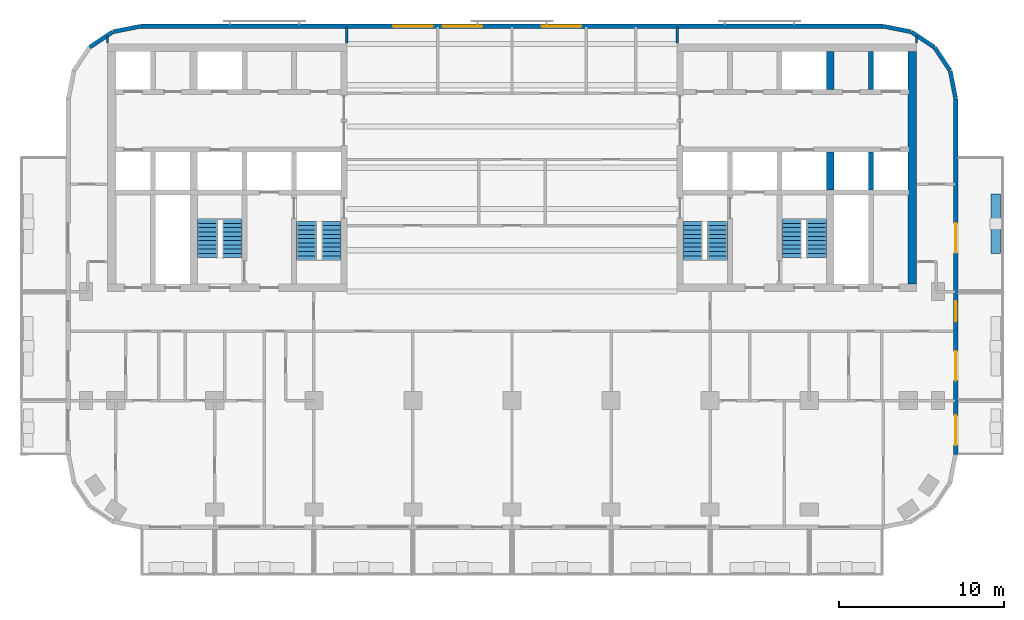
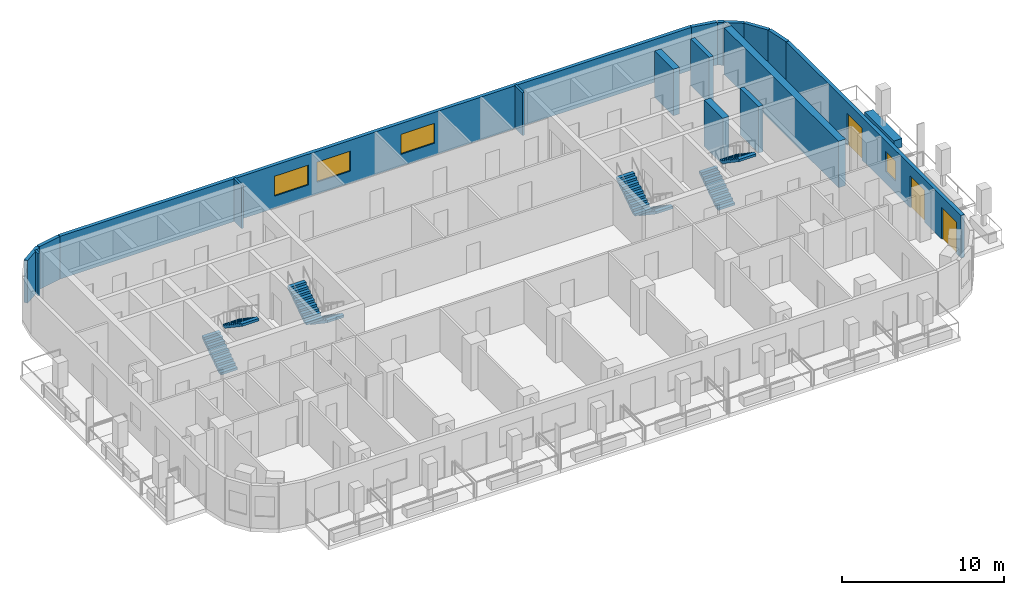
# One storey, part 7 of 11: 18 walls, 8 stair flights, 4 windows, 3 doors, 7 openings, 4 elements without a shape of their own.
"""IFC4 building model written with IfcOpenShell, lengths in metres."""

from ifc_helpers import new_model, si_unit, direction, frame, frame_2d, origin, place, context, subcontext, project, spatial, polyline, rectangle, outline, extrude, material, layer, layer_set, type_object, element, fill, aggregate, save


model = new_model("IFC4")

# Units and contexts
model_context = context("Model", 3, precision=1e-05, world=origin(), true_north=direction((0.0, 1.0)))
body_context = subcontext(model_context, "Body", "Model", "MODEL_VIEW")
ifc_project = project(units=[si_unit("LENGTHUNIT", "METRE"), si_unit("AREAUNIT", "SQUARE_METRE"), si_unit("VOLUMEUNIT", "CUBIC_METRE"), si_unit("PLANEANGLEUNIT", "RADIAN"), si_unit("MASSUNIT", "GRAM", prefix="KILO")], contexts=[model_context])

# Site, building, storey
site_placement = place(None, origin())
site = spatial("IfcSite", under=ifc_project, at=site_placement, CompositionType="ELEMENT")
building_placement = place(site_placement, origin())
building = spatial("IfcBuilding", under=site, at=building_placement, Name="Torana Hotel and Residences", CompositionType="ELEMENT")
storey_placement = place(building_placement, frame((0.0, 0.0, 236.10009765625)))
storey = spatial("IfcBuildingStorey", under=building, at=storey_placement, Name="L62", CompositionType="ELEMENT", Elevation=236.10009765625)

# Walls
ifc_material_1 = material(Name="Concrete C70/85", Category="concrete")
ifc_layer_1 = layer(ifc_material_1, 0.300048828125)
ifc_layer_set_1 = layer_set([ifc_layer_1], Name="CORE WALL 300 C70/85")
wall_type_1 = type_object("IfcWallType", Name="CORE WALL 300 C70/85", PredefinedType="SHEAR", material=ifc_layer_set_1)
for number, where, z_axis, x_axis, name in (
    (1, (21.75, -2.75, 0.0), (0.0, 0.0, 1.0), (0.0, 1.0, 0.0), "Core wall E mm-N"),
    (2, (21.75, -8.85009765625, 0.0), (0.0, 0.0, 1.0), (0.0, 1.0, 0.0), "Core wall E mm-S"),
):
    element("IfcWall", number, at=place(storey_placement, frame(where, z_axis=z_axis, x_axis=x_axis)), inside=storey, type_object=wall_type_1, Name=name, PredefinedType="SHEAR", context=body_context, shape_type="SweptSolid", body=[
        extrude(rectangle(XDim=2.300048828125, YDim=0.300048828125, at=frame_2d((1.14990234375, 0.0))), origin(), (0.0, 0.0, 1.0), 3.5),
    ])
ifc_material_2 = material(Name="Concrete C70/85", Category="concrete")
ifc_layer_2 = layer(ifc_material_2, 0.449951171875)
ifc_layer_set_2 = layer_set([ifc_layer_2], Name="CORE WALL 450 C70/85")
wall_type_2 = type_object("IfcWallType", Name="CORE WALL 450 C70/85", PredefinedType="SHEAR", material=ifc_layer_set_2)
for number, where, z_axis, x_axis, name in (
    (3, (19.27490234375, -2.75, 0.0), (0.0, 0.0, 1.0), (0.0, 1.0, 0.0), "Core wall E hm-N"),
    (4, (19.27490234375, -8.85009765625, 0.0), (0.0, 0.0, 1.0), (0.0, 1.0, 0.0), "Core wall E hm-S"),
):
    element("IfcWall", number, at=place(storey_placement, frame(where, z_axis=z_axis, x_axis=x_axis)), inside=storey, type_object=wall_type_2, Name=name, PredefinedType="SHEAR", context=body_context, shape_type="SweptSolid", body=[
        extrude(rectangle(XDim=2.300048828125, YDim=0.449951171875, at=frame_2d((1.14990234375, 0.0))), origin(), (0.0, 0.0, 1.0), 3.5),
    ])
ifc_material_3 = material(Name="Concrete C70/85", Category="concrete")
ifc_layer_3 = layer(ifc_material_3, 0.5)
ifc_layer_set_3 = layer_set([ifc_layer_3], Name="CORE WALL 500 C70/85")
wall_type_3 = type_object("IfcWallType", Name="CORE WALL 500 C70/85", PredefinedType="SHEAR", material=ifc_layer_set_3)
wall_1_placement = place(storey_placement, frame((24.25, -14.550048828125, 0.0), z_axis=(0.0, 0.0, 1.0), x_axis=(0.0, 1.0, 0.0)))
element("IfcWall", 5, at=wall_1_placement, inside=storey, type_object=wall_type_3, Name="Core wall E outer", PredefinedType="SHEAR", context=body_context, shape_type="SweptSolid", body=[
    extrude(rectangle(XDim=14.10009765625, YDim=0.5, at=frame_2d((7.050048828125, 0.0))), origin(), (0.0, 0.0, 1.0), 3.5),
])
ifc_material_4 = material(Name="Black aluminium composite panel", Category="aluminium")
ifc_layer_4 = layer(ifc_material_4, 0.00390625, Name="Cladding", Category="cladding")
ifc_material_5 = material(Name="Ventilated air cavity")
ifc_layer_5 = layer(ifc_material_5, 0.0400390625, Name="Ventilated cavity", Category="cavity")
ifc_material_6 = material(Name="Mineral wool insulation")
ifc_layer_6 = layer(ifc_material_6, 0.090087890625, Name="Insulation", Category="insulation")
ifc_material_7 = material(Name="Steel S280GD", Category="steel")
ifc_layer_7 = layer(ifc_material_7, 0.092041015625, Name="Steel stud frame", Category="structure")
ifc_material_8 = material(Name="Fire rated plasterboard")
ifc_layer_8 = layer(ifc_material_8, 0.011962890625, Name="Inner board", Category="finish")
ifc_layer_9 = layer(ifc_material_8, 0.011962890625, Name="Second board", Category="finish")
ifc_layer_set_4 = layer_set([ifc_layer_4, ifc_layer_5, ifc_layer_6, ifc_layer_7, ifc_layer_8, ifc_layer_9], Name="EW1 EXTERNAL WALL BLACK METAL CLAD 250")
wall_type_4 = type_object("IfcWallType", Name="EW1 EXTERNAL WALL BLACK METAL CLAD 250", PredefinedType="SOLIDWALL", material=ifc_layer_set_4)
wall_2_placement = place(storey_placement, frame((26.87255859375, -3.30029296875, 0.0), z_axis=(0.0, 0.0, 1.0), x_axis=(-0.194999110559, 0.980803419081, 0.0)))
element("IfcWall", 6, at=wall_2_placement, inside=storey, type_object=wall_type_4, Name="External wall L62 e0.0", PredefinedType="SOLIDWALL", context=body_context, shape_type="SweptSolid", body=[
    extrude(rectangle(XDim=1.681396484375, YDim=0.25, at=frame_2d((0.8408203125, 0.0))), origin(), (0.0, 0.0, 1.0), 3.219970703125),
])
for number, where, z_axis, x_axis, name in (
    (7, (26.52587890625, -1.60595703125, 0.0), (0.0, 0.0, 1.0), (-0.55555029066, 0.831482937015, 0.0), "External wall L62 e0.1"),
    (8, (25.5712890625, -0.1943359375, 0.0), (0.0, 0.0, 1.0), (-0.831482937015, 0.55555029066, 0.0), "External wall L62 e0.2"),
):
    element("IfcWall", number, at=place(storey_placement, frame(where, z_axis=z_axis, x_axis=x_axis)), inside=storey, type_object=wall_type_4, Name=name, PredefinedType="SOLIDWALL", context=body_context, shape_type="SweptSolid", body=[
        extrude(rectangle(XDim=1.65625, YDim=0.25, at=frame_2d((0.828125, 0.0))), origin(), (0.0, 0.0, 1.0), 3.219970703125),
    ])
for number, where, z_axis, x_axis, name in (
    (9, (24.14892578125, 0.74462890625, 0.0), (0.0, 0.0, 1.0), (-0.980803419081, 0.194999110559, 0.0), "External wall L62 e0.3"),
    (10, (-22.499755859375, 1.072509765625, 0.0), (0.0, 0.0, 1.0), (-0.980803419081, -0.194999110559, 0.0), "External wall L62 e0.5"),
):
    element("IfcWall", number, at=place(storey_placement, frame(where, z_axis=z_axis, x_axis=x_axis)), inside=storey, type_object=wall_type_4, Name=name, PredefinedType="SOLIDWALL", context=body_context, shape_type="SweptSolid", body=[
        extrude(rectangle(XDim=1.681396484375, YDim=0.25, at=frame_2d((0.8408203125, 0.0))), origin(), (0.0, 0.0, 1.0), 3.219970703125),
    ])
wall_3_placement = place(storey_placement, frame((-24.194091796875, 0.725830078125, 0.0), z_axis=(0.0, 0.0, 1.0), x_axis=(-0.831482937015, -0.55555029066, 0.0)))
element("IfcWall", 11, at=wall_3_placement, inside=storey, type_object=wall_type_4, Name="External wall L62 e0.6", PredefinedType="SOLIDWALL", context=body_context, shape_type="SweptSolid", body=[
    extrude(rectangle(XDim=1.65625, YDim=0.25, at=frame_2d((0.828125, 0.0))), origin(), (0.0, 0.0, 1.0), 3.219970703125),
])

# Wall, openings, doors, window
wall_4_placement = place(storey_placement, frame((26.875, -24.87548828125, 0.0), z_axis=(0.0, 0.0, 1.0), x_axis=(0.0, 1.0, 0.0)))
wall_4 = element("IfcWall", 12, at=wall_4_placement, inside=storey, type_object=wall_type_4, Name="External wall L62 e0.19", PredefinedType="SOLIDWALL", context=body_context, shape_type="SweptSolid", body=[
    extrude(rectangle(XDim=21.55078125, YDim=0.25, at=frame_2d((10.775390625, 0.0))), origin(), (0.0, 0.0, 1.0), 3.219970703125),
])
opening_1_placement = place(wall_4_placement, frame((0.575439453125, 0.0, 0.0)))
opening_1 = element("IfcOpeningElement", 13, at=opening_1_placement, cuts=wall_4, Name="Opening L62-E09", PredefinedType="OPENING", context=body_context, shape_type="SweptSolid", body=[
    extrude(rectangle(XDim=1.800048828125, YDim=2.39990234375, at=frame_2d((0.89990234375, 1.199951171875))), frame((0.0, 0.135009765625, 0.0), z_axis=(0.0, -1.0, 0.0), x_axis=(1.0, 0.0, 0.0)), (0.0, 0.0, 1.0), 0.27001953125),
])
opening_2_placement = place(wall_4_placement, frame((4.475341796875, 0.0, 0.0)))
opening_2 = element("IfcOpeningElement", 14, at=opening_2_placement, cuts=wall_4, Name="Opening L62-E10", PredefinedType="OPENING", context=body_context, shape_type="SweptSolid", body=[
    extrude(rectangle(XDim=1.800048828125, YDim=2.39990234375, at=frame_2d((0.89990234375, 1.199951171875))), frame((0.0, 0.135009765625, 0.0), z_axis=(0.0, -1.0, 0.0), x_axis=(1.0, 0.0, 0.0)), (0.0, 0.0, 1.0), 0.27001953125),
])
opening_3_placement = place(wall_4_placement, frame((8.075439453125, 0.0, 0.89990234375)))
opening_3 = element("IfcOpeningElement", 15, at=opening_3_placement, cuts=wall_4, Name="Opening W5", PredefinedType="OPENING", context=body_context, shape_type="SweptSolid", body=[
    extrude(rectangle(XDim=1.199951171875, YDim=1.5, at=frame_2d((0.60009765625, 0.75))), frame((0.0, 0.135009765625, 0.0), z_axis=(0.0, -1.0, 0.0), x_axis=(1.0, 0.0, 0.0)), (0.0, 0.0, 1.0), 0.27001953125),
])
opening_4_placement = place(wall_4_placement, frame((12.225341796875, 0.0, 0.0)))
opening_4 = element("IfcOpeningElement", 16, at=opening_4_placement, cuts=wall_4, Name="Opening L62-E11", PredefinedType="OPENING", context=body_context, shape_type="SweptSolid", body=[
    extrude(rectangle(XDim=1.800048828125, YDim=2.39990234375, at=frame_2d((0.89990234375, 1.199951171875))), frame((0.0, 0.135009765625, 0.0), z_axis=(0.0, -1.0, 0.0), x_axis=(1.0, 0.0, 0.0)), (0.0, 0.0, 1.0), 0.27001953125),
])
ifc_material_9 = material(Name="Dark glass in black aluminium frame", Category="aluminium")
door_type = type_object("IfcDoorType", Name="DB1 BALCONY DOOR 1800x2400", OperationType="DOUBLE_DOOR_SINGLE_SWING", PredefinedType="DOOR", material=ifc_material_9)
door_1_placement = place(opening_1_placement, origin())
door_1 = element("IfcDoor", 17, at=door_1_placement, inside=storey, type_object=door_type, Name="Balcony door L62", OperationType="DOUBLE_DOOR_SINGLE_SWING", OverallHeight=2.39990234375, OverallWidth=1.800048828125, PredefinedType="DOOR", context=body_context, shape_type="SweptSolid", body=[
    extrude(rectangle(XDim=1.800048828125, YDim=2.39990234375, at=frame_2d((0.89990234375, 1.199951171875))), frame((0.0, 0.02490234375, 0.0), z_axis=(0.0, -1.0, 0.0), x_axis=(1.0, 0.0, 0.0)), (0.0, 0.0, 1.0), 0.050048828125),
])
fill(opening_1, door_1)
door_2_placement = place(opening_2_placement, origin())
door_2 = element("IfcDoor", 18, at=door_2_placement, inside=storey, type_object=door_type, Name="Balcony door L62", OperationType="DOUBLE_DOOR_SINGLE_SWING", OverallHeight=2.39990234375, OverallWidth=1.800048828125, PredefinedType="DOOR", context=body_context, shape_type="SweptSolid", body=[
    extrude(rectangle(XDim=1.800048828125, YDim=2.39990234375, at=frame_2d((0.89990234375, 1.199951171875))), frame((0.0, 0.02490234375, 0.0), z_axis=(0.0, -1.0, 0.0), x_axis=(1.0, 0.0, 0.0)), (0.0, 0.0, 1.0), 0.050048828125),
])
fill(opening_2, door_2)
door_3_placement = place(opening_4_placement, origin())
door_3 = element("IfcDoor", 19, at=door_3_placement, inside=storey, type_object=door_type, Name="Balcony door L62", OperationType="DOUBLE_DOOR_SINGLE_SWING", OverallHeight=2.39990234375, OverallWidth=1.800048828125, PredefinedType="DOOR", context=body_context, shape_type="SweptSolid", body=[
    extrude(rectangle(XDim=1.800048828125, YDim=2.39990234375, at=frame_2d((0.89990234375, 1.199951171875))), frame((0.0, 0.02490234375, 0.0), z_axis=(0.0, -1.0, 0.0), x_axis=(1.0, 0.0, 0.0)), (0.0, 0.0, 1.0), 0.050048828125),
])
fill(opening_4, door_3)
ifc_material_10 = material(Name="Dark glass in black aluminium frame", Category="aluminium")
window_type_1 = type_object("IfcWindowType", Name="W5 CORNER FACET WINDOW 1200x1500", PartitioningType="SINGLE_PANEL", PredefinedType="WINDOW", material=ifc_material_10)
window_1_placement = place(opening_3_placement, origin())
window_1 = element("IfcWindow", 20, at=window_1_placement, inside=storey, type_object=window_type_1, Name="Window L62", OverallHeight=1.5, OverallWidth=1.199951171875, PartitioningType="SINGLE_PANEL", PredefinedType="WINDOW", context=body_context, shape_type="SweptSolid", body=[
    extrude(rectangle(XDim=1.199951171875, YDim=1.5, at=frame_2d((0.60009765625, 0.75))), frame((0.0, 0.030029296875, 0.0), z_axis=(0.0, -1.0, 0.0), x_axis=(1.0, 0.0, 0.0)), (0.0, 0.0, 1.0), 0.06005859375),
])
fill(opening_3, window_1)

# Wall, openings, windows
ifc_material_11 = material(Name="Concrete C40/50 precast", Category="concrete")
ifc_layer_10 = layer(ifc_material_11, 0.10009765625, Name="Perforated block", Category="cladding")
ifc_material_12 = material(Name="Air cavity")
ifc_layer_11 = layer(ifc_material_12, 0.030029296875, Name="Cavity", Category="cavity")
ifc_material_13 = material(Name="Concrete C40/50", Category="concrete")
ifc_layer_12 = layer(ifc_material_13, 0.10009765625, Name="Wall", Category="structure")
ifc_material_14 = material(Name="Plaster and paint")
ifc_layer_13 = layer(ifc_material_14, 0.02001953125, Name="Inner finish", Category="finish")
ifc_layer_set_5 = layer_set([ifc_layer_10, ifc_layer_11, ifc_layer_12, ifc_layer_13], Name="EW2 PERFORATED BLOCK SCREEN WALL 250")
wall_type_5 = type_object("IfcWallType", Name="EW2 PERFORATED BLOCK SCREEN WALL 250", PredefinedType="SOLIDWALL", material=ifc_layer_set_5)
wall_5_placement = place(storey_placement, frame((22.475341796875, 1.074951171875, 0.0), z_axis=(0.0, 0.0, 1.0), x_axis=(-1.0, 0.0, 0.0)))
wall_5 = element("IfcWall", 21, at=wall_5_placement, inside=storey, type_object=wall_type_5, Name="External wall L62 e0.4", PredefinedType="SOLIDWALL", context=body_context, shape_type="SweptSolid", body=[
    extrude(rectangle(XDim=44.95068359375, YDim=0.25, at=frame_2d((22.475341796875, 0.0))), origin(), (0.0, 0.0, 1.0), 3.219970703125),
])
opening_5_placement = place(wall_5_placement, frame((18.275390625, 0.0, 0.89990234375)))
opening_5 = element("IfcOpeningElement", 22, at=opening_5_placement, cuts=wall_5, Name="Opening W3", PredefinedType="OPENING", context=body_context, shape_type="SweptSolid", body=[
    extrude(rectangle(XDim=2.39990234375, YDim=1.5, at=frame_2d((1.199951171875, 0.75))), frame((0.0, 0.135009765625, 0.0), z_axis=(0.0, -1.0, 0.0), x_axis=(1.0, 0.0, 0.0)), (0.0, 0.0, 1.0), 0.27001953125),
])
opening_6_placement = place(wall_5_placement, frame((24.275390625, 0.0, 0.89990234375)))
opening_6 = element("IfcOpeningElement", 23, at=opening_6_placement, cuts=wall_5, Name="Opening W3", PredefinedType="OPENING", context=body_context, shape_type="SweptSolid", body=[
    extrude(rectangle(XDim=2.39990234375, YDim=1.5, at=frame_2d((1.199951171875, 0.75))), frame((0.0, 0.135009765625, 0.0), z_axis=(0.0, -1.0, 0.0), x_axis=(1.0, 0.0, 0.0)), (0.0, 0.0, 1.0), 0.27001953125),
])
opening_7_placement = place(wall_5_placement, frame((27.275390625, 0.0, 0.89990234375)))
opening_7 = element("IfcOpeningElement", 24, at=opening_7_placement, cuts=wall_5, Name="Opening W3", PredefinedType="OPENING", context=body_context, shape_type="SweptSolid", body=[
    extrude(rectangle(XDim=2.39990234375, YDim=1.5, at=frame_2d((1.199951171875, 0.75))), frame((0.0, 0.135009765625, 0.0), z_axis=(0.0, -1.0, 0.0), x_axis=(1.0, 0.0, 0.0)), (0.0, 0.0, 1.0), 0.27001953125),
])
ifc_material_15 = material(Name="Dark glass in black aluminium frame", Category="aluminium")
window_type_2 = type_object("IfcWindowType", Name="W3 RESIDENCE WINDOW 2400x1500", PartitioningType="SINGLE_PANEL", PredefinedType="WINDOW", material=ifc_material_15)
window_2_placement = place(opening_5_placement, origin())
window_2 = element("IfcWindow", 25, at=window_2_placement, inside=storey, type_object=window_type_2, Name="Window L62", OverallHeight=1.5, OverallWidth=2.39990234375, PartitioningType="SINGLE_PANEL", PredefinedType="WINDOW", context=body_context, shape_type="SweptSolid", body=[
    extrude(rectangle(XDim=2.39990234375, YDim=1.5, at=frame_2d((1.199951171875, 0.75))), frame((0.0, 0.030029296875, 0.0), z_axis=(0.0, -1.0, 0.0), x_axis=(1.0, 0.0, 0.0)), (0.0, 0.0, 1.0), 0.06005859375),
])
fill(opening_5, window_2)
window_3_placement = place(opening_6_placement, origin())
window_3 = element("IfcWindow", 26, at=window_3_placement, inside=storey, type_object=window_type_2, Name="Window L62", OverallHeight=1.5, OverallWidth=2.39990234375, PartitioningType="SINGLE_PANEL", PredefinedType="WINDOW", context=body_context, shape_type="SweptSolid", body=[
    extrude(rectangle(XDim=2.39990234375, YDim=1.5, at=frame_2d((1.199951171875, 0.75))), frame((0.0, 0.030029296875, 0.0), z_axis=(0.0, -1.0, 0.0), x_axis=(1.0, 0.0, 0.0)), (0.0, 0.0, 1.0), 0.06005859375),
])
fill(opening_6, window_3)
window_4_placement = place(opening_7_placement, origin())
window_4 = element("IfcWindow", 27, at=window_4_placement, inside=storey, type_object=window_type_2, Name="Window L62", OverallHeight=1.5, OverallWidth=2.39990234375, PartitioningType="SINGLE_PANEL", PredefinedType="WINDOW", context=body_context, shape_type="SweptSolid", body=[
    extrude(rectangle(XDim=2.39990234375, YDim=1.5, at=frame_2d((1.199951171875, 0.75))), frame((0.0, 0.030029296875, 0.0), z_axis=(0.0, -1.0, 0.0), x_axis=(1.0, 0.0, 0.0)), (0.0, 0.0, 1.0), 0.06005859375),
])
fill(opening_7, window_4)

# Walls
ifc_material_16 = material(Name="Gypsum plasterboard")
ifc_layer_14 = layer(ifc_material_16, 0.012451171875, Name="Plasterboard", Category="finish")
ifc_layer_15 = layer(ifc_material_16, 0.012451171875, Name="Plasterboard", Category="finish")
ifc_layer_16 = layer(ifc_material_7, 0.10009765625, Name="Steel studs with mineral wool", Category="insulation")
ifc_layer_17 = layer(ifc_material_16, 0.012451171875, Name="Plasterboard", Category="finish")
ifc_layer_18 = layer(ifc_material_16, 0.012451171875, Name="Plasterboard", Category="finish")
ifc_layer_set_6 = layer_set([ifc_layer_14, ifc_layer_15, ifc_layer_16, ifc_layer_17, ifc_layer_18], Name="PARTITION 150 PLASTERBOARD")
wall_type_6 = type_object("IfcWallType", Name="PARTITION 150 PLASTERBOARD", PredefinedType="PARTITIONING", material=ifc_layer_set_6)
wall_6_placement = place(storey_placement, frame((24.5, 0.050048828125, 0.0), z_axis=(0.0, 0.0, 1.0), x_axis=(0.0, 1.0, 0.0)))
element("IfcWall", 28, at=wall_6_placement, inside=storey, type_object=wall_type_6, Name="Partition L62", PredefinedType="PARTITIONING", context=body_context, shape_type="SweptSolid", body=[
    extrude(rectangle(XDim=0.4052734375, YDim=0.14990234375, at=frame_2d((0.20263671875, 0.0))), origin(), (0.0, 0.0, 1.0), 3.219970703125),
])
wall_7_placement = place(storey_placement, frame((-10.0, 0.050048828125, 0.0), z_axis=(0.0, 0.0, 1.0), x_axis=(0.0, 1.0, 0.0)))
element("IfcWall", 29, at=wall_7_placement, inside=storey, type_object=wall_type_6, Name="Partition L62", PredefinedType="PARTITIONING", context=body_context, shape_type="SweptSolid", body=[
    extrude(rectangle(XDim=0.969970703125, YDim=0.14990234375, at=frame_2d((0.48486328125, 0.0))), origin(), (0.0, 0.0, 1.0), 3.219970703125),
])
wall_8_placement = place(storey_placement, frame((-24.5, 0.050048828125, 0.0), z_axis=(0.0, 0.0, 1.0), x_axis=(0.0, 1.0, 0.0)))
element("IfcWall", 30, at=wall_8_placement, inside=storey, type_object=wall_type_6, Name="Partition L62", PredefinedType="PARTITIONING", context=body_context, shape_type="SweptSolid", body=[
    extrude(rectangle(XDim=0.4052734375, YDim=0.14990234375, at=frame_2d((0.20263671875, 0.0))), origin(), (0.0, 0.0, 1.0), 3.219970703125),
])
ifc_layer_19 = layer(ifc_material_11, 0.10009765625, Name="Planter shell", Category="structure")
ifc_material_17 = material(Name="Root resistant membrane")
ifc_layer_20 = layer(ifc_material_17, 0.00390625, Name="Waterproofing membrane", Category="membrane")
ifc_material_18 = material(Name="Drainage board with filter fleece")
ifc_layer_21 = layer(ifc_material_18, 0.02001953125, Name="Drainage board", Category="drainage")
ifc_material_19 = material(Name="Growing medium")
ifc_layer_22 = layer(ifc_material_19, 0.47607421875, Name="Planting substrate", Category="soil")
ifc_layer_set_7 = layer_set([ifc_layer_19, ifc_layer_20, ifc_layer_21, ifc_layer_22], Name="PL1 BALCONY PLANTER 600")
wall_type_7 = type_object("IfcWallType", Name="PL1 BALCONY PLANTER 600", PredefinedType="USERDEFINED", material=ifc_layer_set_7)
wall_9_placement = place(storey_placement, frame((29.300048828125, -9.10009765625, 0.0), z_axis=(0.0, 0.0, 1.0), x_axis=(0.0, -1.0, 0.0)))
element("IfcWall", 31, at=wall_9_placement, inside=storey, type_object=wall_type_7, Name="Planter 14", ObjectType="PLANTER", PredefinedType="USERDEFINED", context=body_context, shape_type="SweptSolid", body=[
    extrude(rectangle(XDim=3.599853515625, YDim=0.60009765625, at=frame_2d((1.7998046875, 0.0))), origin(), (0.0, 0.0, 1.0), 0.64990234375),
])
ifc_material_20 = material(Name="Ceramic tile on adhesive")
ifc_layer_23 = layer(ifc_material_20, 0.010009765625, Name="Wall tile", Category="finish")
ifc_material_21 = material(Name="Cement render")
ifc_layer_24 = layer(ifc_material_21, 0.010009765625, Name="Render", Category="finish")
ifc_material_22 = material(Name="Concrete blockwork", Category="masonry")
ifc_layer_25 = layer(ifc_material_22, 0.110107421875, Name="Blockwork", Category="structure")
ifc_layer_26 = layer(ifc_material_21, 0.010009765625, Name="Render", Category="finish")
ifc_layer_27 = layer(ifc_material_20, 0.010009765625, Name="Wall tile", Category="finish")
ifc_layer_set_8 = layer_set([ifc_layer_23, ifc_layer_24, ifc_layer_25, ifc_layer_26, ifc_layer_27], Name="WC PARTITION 150")
wall_type_8 = type_object("IfcWallType", Name="WC PARTITION 150", PredefinedType="PLUMBINGWALL", material=ifc_layer_set_8)
wall_10_placement = place(storey_placement, frame((10.0, 0.050048828125, 0.0), z_axis=(0.0, 0.0, 1.0), x_axis=(0.0, 1.0, 0.0)))
element("IfcWall", 32, at=wall_10_placement, inside=storey, type_object=wall_type_8, Name="Partition L62", PredefinedType="PLUMBINGWALL", context=body_context, shape_type="SweptSolid", body=[
    extrude(rectangle(XDim=0.969970703125, YDim=0.14990234375, at=frame_2d((0.48486328125, 0.0))), origin(), (0.0, 0.0, 1.0), 3.219970703125),
])

# Stair, stair flights
ifc_material_23 = material(Name="Concrete C40/50 precast", Category="concrete")
stair_type_1 = type_object("IfcStairType", Name="STAIR ST1 HALF TURN 1200", PredefinedType="HALF_TURN_STAIR", material=ifc_material_23)
stair_1_placement = place(storey_placement, origin())
stair_1 = element("IfcStair", 33, at=stair_1_placement, inside=storey, type_object=stair_type_1, Name="Stair ST1 L62", PredefinedType="HALF_TURN_STAIR")
ifc_material_24 = material(Name="Concrete C40/50 precast", Category="concrete")
stair_flight_type = type_object("IfcStairFlightType", Name="STAIR FLIGHT 1200 PRECAST", PredefinedType="STRAIGHT", material=ifc_material_24)
stair_flight_1_placement = place(storey_placement, frame((-10.949951171875, -10.75, 0.0), z_axis=(0.0, 0.0, 1.0), x_axis=(0.0, -1.0, 0.0)))
stair_flight_1 = element("IfcStairFlight", 34, at=stair_flight_1_placement, type_object=stair_flight_type, Name="ST1 flight 1", NumberOfRisers=10, NumberOfTreads=9, PredefinedType="STRAIGHT", RiserHeight=0.175, TreadLength=0.26, context=body_context, shape_type="SweptSolid", body=[
    extrude(outline(polyline([(0.0, 0.0), (0.0, 0.175048828125), (0.260009765625, 0.175048828125), (0.260009765625, 0.35009765625), (0.52001953125, 0.35009765625), (0.52001953125, 0.52490234375), (0.780029296875, 0.52490234375), (0.780029296875, 0.699951171875), (1.0400390625, 0.699951171875), (1.0400390625, 0.875), (1.300048828125, 0.875), (1.300048828125, 1.050048828125), (1.56005859375, 1.050048828125), (1.56005859375, 1.22509765625), (1.820068359375, 1.22509765625), (1.820068359375, 1.39990234375), (2.080078125, 1.39990234375), (2.080078125, 1.574951171875), (2.340087890625, 1.574951171875), (2.340087890625, 1.75), (2.340087890625, 1.394287109375), (0.2685546875, 0.0), (0.0, 0.0)])), frame((0.0, 0.60009765625, 0.0), z_axis=(0.0, -1.0, 0.0), x_axis=(1.0, 0.0, 0.0)), (0.0, 0.0, 1.0), 1.199951171875),
])
stair_flight_2_placement = place(storey_placement, frame((-12.449951171875, -13.090087890625, 1.75), z_axis=(0.0, 0.0, 1.0), x_axis=(0.0, 1.0, 0.0)))
stair_flight_2 = element("IfcStairFlight", 35, at=stair_flight_2_placement, type_object=stair_flight_type, Name="ST1 flight 2", NumberOfRisers=10, NumberOfTreads=9, PredefinedType="STRAIGHT", RiserHeight=0.175, TreadLength=0.26, context=body_context, shape_type="SweptSolid", body=[
    extrude(outline(polyline([(0.0, 0.0), (0.0, 0.175048828125), (0.260009765625, 0.175048828125), (0.260009765625, 0.35009765625), (0.52001953125, 0.35009765625), (0.52001953125, 0.52490234375), (0.780029296875, 0.52490234375), (0.780029296875, 0.699951171875), (1.0400390625, 0.699951171875), (1.0400390625, 0.875), (1.300048828125, 0.875), (1.300048828125, 1.050048828125), (1.56005859375, 1.050048828125), (1.56005859375, 1.22509765625), (1.820068359375, 1.22509765625), (1.820068359375, 1.39990234375), (2.080078125, 1.39990234375), (2.080078125, 1.574951171875), (2.340087890625, 1.574951171875), (2.340087890625, 1.75), (2.340087890625, 1.394287109375), (0.2685546875, 0.0), (0.0, 0.0)])), frame((0.0, 0.60009765625, 0.0), z_axis=(0.0, -1.0, 0.0), x_axis=(1.0, 0.0, 0.0)), (0.0, 0.0, 1.0), 1.199951171875),
])
aggregate(stair_1, [stair_flight_1, stair_flight_2])

ifc_material_25 = material(Name="Concrete C40/50 precast", Category="concrete")
stair_type_2 = type_object("IfcStairType", Name="STAIR ST2 HALF TURN 1200", PredefinedType="HALF_TURN_STAIR", material=ifc_material_25)
stair_2_placement = place(storey_placement, origin())
stair_2 = element("IfcStair", 36, at=stair_2_placement, inside=storey, type_object=stair_type_2, Name="Stair ST2 L62", PredefinedType="HALF_TURN_STAIR")
stair_flight_3_placement = place(storey_placement, frame((-18.449951171875, -12.949951171875, 0.0), z_axis=(0.0, 0.0, 1.0), x_axis=(0.0, 1.0, 0.0)))
stair_flight_3 = element("IfcStairFlight", 37, at=stair_flight_3_placement, type_object=stair_flight_type, Name="ST2 flight 1", NumberOfRisers=10, NumberOfTreads=9, PredefinedType="STRAIGHT", RiserHeight=0.175, TreadLength=0.26, context=body_context, shape_type="SweptSolid", body=[
    extrude(outline(polyline([(0.0, 0.0), (0.0, 0.175048828125), (0.260009765625, 0.175048828125), (0.260009765625, 0.35009765625), (0.52001953125, 0.35009765625), (0.52001953125, 0.52490234375), (0.780029296875, 0.52490234375), (0.780029296875, 0.699951171875), (1.0400390625, 0.699951171875), (1.0400390625, 0.875), (1.300048828125, 0.875), (1.300048828125, 1.050048828125), (1.56005859375, 1.050048828125), (1.56005859375, 1.22509765625), (1.820068359375, 1.22509765625), (1.820068359375, 1.39990234375), (2.080078125, 1.39990234375), (2.080078125, 1.574951171875), (2.340087890625, 1.574951171875), (2.340087890625, 1.75), (2.340087890625, 1.394287109375), (0.2685546875, 0.0), (0.0, 0.0)])), frame((0.0, 0.60009765625, 0.0), z_axis=(0.0, -1.0, 0.0), x_axis=(1.0, 0.0, 0.0)), (0.0, 0.0, 1.0), 1.199951171875),
])
stair_flight_4_placement = place(storey_placement, frame((-16.949951171875, -10.610107421875, 1.75), z_axis=(0.0, 0.0, 1.0), x_axis=(0.0, -1.0, 0.0)))
stair_flight_4 = element("IfcStairFlight", 38, at=stair_flight_4_placement, type_object=stair_flight_type, Name="ST2 flight 2", NumberOfRisers=10, NumberOfTreads=9, PredefinedType="STRAIGHT", RiserHeight=0.175, TreadLength=0.26, context=body_context, shape_type="SweptSolid", body=[
    extrude(outline(polyline([(0.0, 0.0), (0.0, 0.175048828125), (0.260009765625, 0.175048828125), (0.260009765625, 0.35009765625), (0.52001953125, 0.35009765625), (0.52001953125, 0.52490234375), (0.780029296875, 0.52490234375), (0.780029296875, 0.699951171875), (1.0400390625, 0.699951171875), (1.0400390625, 0.875), (1.300048828125, 0.875), (1.300048828125, 1.050048828125), (1.56005859375, 1.050048828125), (1.56005859375, 1.22509765625), (1.820068359375, 1.22509765625), (1.820068359375, 1.39990234375), (2.080078125, 1.39990234375), (2.080078125, 1.574951171875), (2.340087890625, 1.574951171875), (2.340087890625, 1.75), (2.340087890625, 1.394287109375), (0.2685546875, 0.0), (0.0, 0.0)])), frame((0.0, 0.60009765625, 0.0), z_axis=(0.0, -1.0, 0.0), x_axis=(1.0, 0.0, 0.0)), (0.0, 0.0, 1.0), 1.199951171875),
])
aggregate(stair_2, [stair_flight_3, stair_flight_4])

ifc_material_26 = material(Name="Concrete C40/50 precast", Category="concrete")
stair_type_3 = type_object("IfcStairType", Name="STAIR ST3 HALF TURN 1200", PredefinedType="HALF_TURN_STAIR", material=ifc_material_26)
stair_3_placement = place(storey_placement, origin())
stair_3 = element("IfcStair", 39, at=stair_3_placement, inside=storey, type_object=stair_type_3, Name="Stair ST3 L62", PredefinedType="HALF_TURN_STAIR")
stair_flight_5_placement = place(storey_placement, frame((12.449951171875, -10.75, 0.0), z_axis=(0.0, 0.0, 1.0), x_axis=(0.0, -1.0, 0.0)))
stair_flight_5 = element("IfcStairFlight", 40, at=stair_flight_5_placement, type_object=stair_flight_type, Name="ST3 flight 1", NumberOfRisers=10, NumberOfTreads=9, PredefinedType="STRAIGHT", RiserHeight=0.175, TreadLength=0.26, context=body_context, shape_type="SweptSolid", body=[
    extrude(outline(polyline([(0.0, 0.0), (0.0, 0.175048828125), (0.260009765625, 0.175048828125), (0.260009765625, 0.35009765625), (0.52001953125, 0.35009765625), (0.52001953125, 0.52490234375), (0.780029296875, 0.52490234375), (0.780029296875, 0.699951171875), (1.0400390625, 0.699951171875), (1.0400390625, 0.875), (1.300048828125, 0.875), (1.300048828125, 1.050048828125), (1.56005859375, 1.050048828125), (1.56005859375, 1.22509765625), (1.820068359375, 1.22509765625), (1.820068359375, 1.39990234375), (2.080078125, 1.39990234375), (2.080078125, 1.574951171875), (2.340087890625, 1.574951171875), (2.340087890625, 1.75), (2.340087890625, 1.394287109375), (0.2685546875, 0.0), (0.0, 0.0)])), frame((0.0, 0.60009765625, 0.0), z_axis=(0.0, -1.0, 0.0), x_axis=(1.0, 0.0, 0.0)), (0.0, 0.0, 1.0), 1.199951171875),
])
stair_flight_6_placement = place(storey_placement, frame((10.949951171875, -13.090087890625, 1.75), z_axis=(0.0, 0.0, 1.0), x_axis=(0.0, 1.0, 0.0)))
stair_flight_6 = element("IfcStairFlight", 41, at=stair_flight_6_placement, type_object=stair_flight_type, Name="ST3 flight 2", NumberOfRisers=10, NumberOfTreads=9, PredefinedType="STRAIGHT", RiserHeight=0.175, TreadLength=0.26, context=body_context, shape_type="SweptSolid", body=[
    extrude(outline(polyline([(0.0, 0.0), (0.0, 0.175048828125), (0.260009765625, 0.175048828125), (0.260009765625, 0.35009765625), (0.52001953125, 0.35009765625), (0.52001953125, 0.52490234375), (0.780029296875, 0.52490234375), (0.780029296875, 0.699951171875), (1.0400390625, 0.699951171875), (1.0400390625, 0.875), (1.300048828125, 0.875), (1.300048828125, 1.050048828125), (1.56005859375, 1.050048828125), (1.56005859375, 1.22509765625), (1.820068359375, 1.22509765625), (1.820068359375, 1.39990234375), (2.080078125, 1.39990234375), (2.080078125, 1.574951171875), (2.340087890625, 1.574951171875), (2.340087890625, 1.75), (2.340087890625, 1.394287109375), (0.2685546875, 0.0), (0.0, 0.0)])), frame((0.0, 0.60009765625, 0.0), z_axis=(0.0, -1.0, 0.0), x_axis=(1.0, 0.0, 0.0)), (0.0, 0.0, 1.0), 1.199951171875),
])
aggregate(stair_3, [stair_flight_5, stair_flight_6])

ifc_material_27 = material(Name="Concrete C40/50 precast", Category="concrete")
stair_type_4 = type_object("IfcStairType", Name="STAIR ST4 HALF TURN 1200", PredefinedType="HALF_TURN_STAIR", material=ifc_material_27)
stair_4_placement = place(storey_placement, origin())
stair_4 = element("IfcStair", 42, at=stair_4_placement, inside=storey, type_object=stair_type_4, Name="Stair ST4 L62", PredefinedType="HALF_TURN_STAIR")
stair_flight_7_placement = place(storey_placement, frame((16.949951171875, -12.949951171875, 0.0), z_axis=(0.0, 0.0, 1.0), x_axis=(0.0, 1.0, 0.0)))
stair_flight_7 = element("IfcStairFlight", 43, at=stair_flight_7_placement, type_object=stair_flight_type, Name="ST4 flight 1", NumberOfRisers=10, NumberOfTreads=9, PredefinedType="STRAIGHT", RiserHeight=0.175, TreadLength=0.26, context=body_context, shape_type="SweptSolid", body=[
    extrude(outline(polyline([(0.0, 0.0), (0.0, 0.175048828125), (0.260009765625, 0.175048828125), (0.260009765625, 0.35009765625), (0.52001953125, 0.35009765625), (0.52001953125, 0.52490234375), (0.780029296875, 0.52490234375), (0.780029296875, 0.699951171875), (1.0400390625, 0.699951171875), (1.0400390625, 0.875), (1.300048828125, 0.875), (1.300048828125, 1.050048828125), (1.56005859375, 1.050048828125), (1.56005859375, 1.22509765625), (1.820068359375, 1.22509765625), (1.820068359375, 1.39990234375), (2.080078125, 1.39990234375), (2.080078125, 1.574951171875), (2.340087890625, 1.574951171875), (2.340087890625, 1.75), (2.340087890625, 1.394287109375), (0.2685546875, 0.0), (0.0, 0.0)])), frame((0.0, 0.60009765625, 0.0), z_axis=(0.0, -1.0, 0.0), x_axis=(1.0, 0.0, 0.0)), (0.0, 0.0, 1.0), 1.199951171875),
])
stair_flight_8_placement = place(storey_placement, frame((18.449951171875, -10.610107421875, 1.75), z_axis=(0.0, 0.0, 1.0), x_axis=(0.0, -1.0, 0.0)))
stair_flight_8 = element("IfcStairFlight", 44, at=stair_flight_8_placement, type_object=stair_flight_type, Name="ST4 flight 2", NumberOfRisers=10, NumberOfTreads=9, PredefinedType="STRAIGHT", RiserHeight=0.175, TreadLength=0.26, context=body_context, shape_type="SweptSolid", body=[
    extrude(outline(polyline([(0.0, 0.0), (0.0, 0.175048828125), (0.260009765625, 0.175048828125), (0.260009765625, 0.35009765625), (0.52001953125, 0.35009765625), (0.52001953125, 0.52490234375), (0.780029296875, 0.52490234375), (0.780029296875, 0.699951171875), (1.0400390625, 0.699951171875), (1.0400390625, 0.875), (1.300048828125, 0.875), (1.300048828125, 1.050048828125), (1.56005859375, 1.050048828125), (1.56005859375, 1.22509765625), (1.820068359375, 1.22509765625), (1.820068359375, 1.39990234375), (2.080078125, 1.39990234375), (2.080078125, 1.574951171875), (2.340087890625, 1.574951171875), (2.340087890625, 1.75), (2.340087890625, 1.394287109375), (0.2685546875, 0.0), (0.0, 0.0)])), frame((0.0, 0.60009765625, 0.0), z_axis=(0.0, -1.0, 0.0), x_axis=(1.0, 0.0, 0.0)), (0.0, 0.0, 1.0), 1.199951171875),
])
aggregate(stair_4, [stair_flight_7, stair_flight_8])

save(model, "model.ifc")
